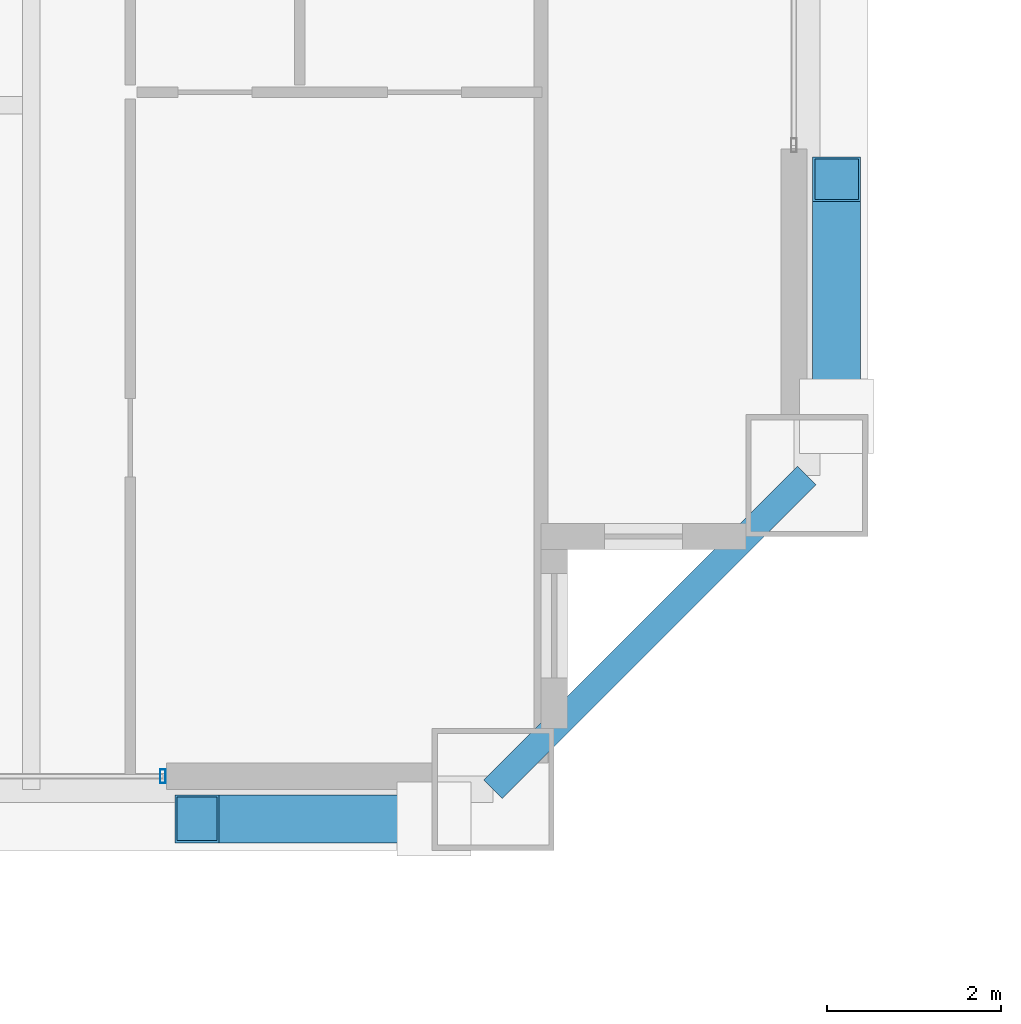
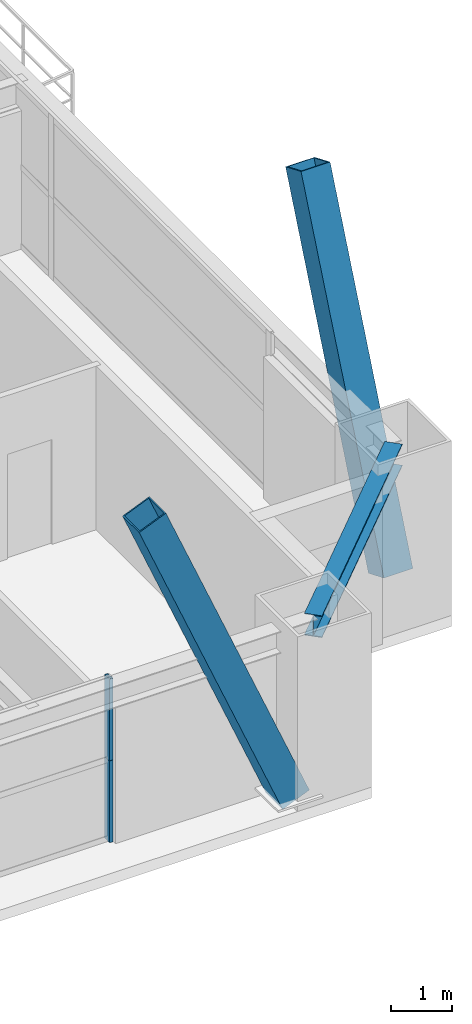
# One storey, part 20 of 45: 4 members, 1 beam, 1 element without a shape of its own.
"""IFC4 building model written with IfcOpenShell, lengths in metres."""

from ifc_helpers import new_model, si_unit, direction, frame, origin, origin_2d, place, context, subcontext, project, spatial, hollow_rectangle, i_section, extrude, source, transform, mapped, material, layer, layer_set, material_profile, profile_set, type_object, element, aggregate, save


model = new_model("IFC4")

# Units and contexts
model_context = context("Model", 3, precision=1e-05, world=origin(), true_north=direction((0.0, 1.0)))
body_context = subcontext(model_context, "Body", "Model", "MODEL_VIEW")
ifc_project = project(units=[si_unit("LENGTHUNIT", "METRE"), si_unit("AREAUNIT", "SQUARE_METRE"), si_unit("VOLUMEUNIT", "CUBIC_METRE"), si_unit("PLANEANGLEUNIT", "RADIAN"), si_unit("MASSUNIT", "GRAM", prefix="KILO"), si_unit("THERMODYNAMICTEMPERATUREUNIT", "KELVIN"), si_unit("POWERUNIT", "WATT")], contexts=[model_context])

# Site, building, storey
site_placement = place(None, origin())
site = spatial("IfcSite", under=ifc_project, at=site_placement, CompositionType="ELEMENT")
building_placement = place(site_placement, origin())
building = spatial("IfcBuilding", under=site, at=building_placement, Name="Yuzanri Waterfront Tower", CompositionType="ELEMENT")
storey_placement = place(building_placement, frame((0.0, 0.0, 191.5)))
storey = spatial("IfcBuildingStorey", under=building, at=storey_placement, Name="L50", CompositionType="ELEMENT", Elevation=191.5)

# Beam
ifc_material_1 = material(Name="Steel Q355B", Category="steel")
ifc_material_profile_1 = material_profile(ifc_material_1, i_section(OverallWidth=0.300048828125, OverallDepth=0.43994140625, WebThickness=0.010986328125, FlangeThickness=0.01806640625, at=origin_2d()), Name="HM 440x300x11x18")
ifc_profile_set_1 = profile_set([ifc_material_profile_1], Name="Steel Q355B")
beam_type = type_object("IfcBeamType", Name="Perimeter Spandrel Q355B HM 440x300", PredefinedType="SPANDREL", material=ifc_profile_set_1)
shared_shape_1 = source(origin(), body_context, "Body", "SweptSolid", [
    extrude(i_section(OverallWidth=0.300048828125, OverallDepth=0.43994140625, WebThickness=0.010986328125, FlangeThickness=0.01806640625, at=origin_2d()), origin(), (0.0, 0.0, 1.0), 5.09130859375),
])
beam_placement = place(storey_placement, frame((55.5, 3.699951171875, 3.06005859375), z_axis=(0.707106781187, 0.707106781187, 0.0), x_axis=(-0.707106781187, 0.707106781187, 0.0)))
element("IfcBeam", 1, at=beam_placement, inside=storey, type_object=beam_type, Name="L50 Perimeter Spandrel S3-E1", PredefinedType="SPANDREL", context=body_context, shape_type="MappedRepresentation", body=[
    mapped(shared_shape_1, transform((0.0, 0.0, 0.0), scale=1.0)),
])

# Members
ifc_material_2 = material(Name="Steel Q390GJC", Category="steel")
ifc_material_profile_2 = material_profile(ifc_material_2, hollow_rectangle(XDim=0.550048828125, YDim=0.550048828125, WallThickness=0.02490234375, at=origin_2d()), Name="RHS 550x550x25")
ifc_profile_set_2 = profile_set([ifc_material_profile_2], Name="Steel Q390GJC")
member_type_1 = type_object("IfcMemberType", Name="Mega Brace Mid Q390GJC RHS 550x550x25", PredefinedType="BRACE", material=ifc_profile_set_2)
shared_shape_2 = source(origin(), body_context, "Body", "SweptSolid", [
    extrude(hollow_rectangle(XDim=0.550048828125, YDim=0.550048828125, WallThickness=0.02490234375, at=origin_2d()), origin(), (0.0, 0.0, 1.0), 7.046142578125),
])
for number, where, z_axis, x_axis, name in (
    (2, (54.820068359375, 3.360107421875, 0.179931640625), (-0.386022211732, 0.0, 0.922489486146), (0.0, -1.0, 0.0), "L50-L51 Perimeter Mega-Brace S-R"),
    (3, (59.43994140625, 7.97998046875, 0.179931640625), (0.0, 0.386022211732, 0.922489486146), (-1.0, 0.0, 0.0), "L50-L51 Perimeter Mega-Brace E-L"),
):
    element("IfcMember", number, at=place(storey_placement, frame(where, z_axis=z_axis, x_axis=x_axis)), inside=storey, type_object=member_type_1, Name=name, PredefinedType="BRACE", context=body_context, shape_type="MappedRepresentation", body=[
        mapped(shared_shape_2, transform((0.0, 0.0, 0.0), scale=1.0)),
    ])

# Curtain wall, members
ifc_material_3 = material(Name="Anodized Architectural Bronze", Category="metal")
ifc_layer = layer(ifc_material_3, 0.159912109375)
ifc_layer_set = layer_set([ifc_layer], Name="Anodized Architectural Bronze")
curtain_wall_type = type_object("IfcCurtainWallType", Name="Anodized Bronze Mid-Rise Residential Acoustic Unitized Curtain Wall 7200", PredefinedType="NOTDEFINED", material=ifc_layer_set)
curtain_wall_placement = place(storey_placement, origin())
curtain_wall = element("IfcCurtainWall", 4, at=curtain_wall_placement, inside=storey, type_object=curtain_wall_type, Name="L50 Curtain Wall CW-L50-SR2", PredefinedType="NOTDEFINED")
ifc_material_4 = material(Name="Anodized Architectural Bronze", Category="metal")
ifc_material_profile_3 = material_profile(ifc_material_4, hollow_rectangle(XDim=0.06494140625, YDim=0.159912109375, WallThickness=0.00341796875, at=origin_2d()), Name="CWM 65x160")
ifc_profile_set_3 = profile_set([ifc_material_profile_3], Name="Anodized Architectural Bronze")
member_type_2 = type_object("IfcMemberType", Name="Anodized Bronze Upper-Zone Curtain-Wall Mullion 65x160", PredefinedType="MULLION", material=ifc_profile_set_3)
shared_shape_3 = source(origin(), body_context, "Body", "SweptSolid", [
    extrude(hollow_rectangle(XDim=0.06494140625, YDim=0.159912109375, WallThickness=0.00341796875, at=origin_2d()), origin(), (0.0, 0.0, 1.0), 1.637939453125),
])
member_1_placement = place(storey_placement, frame((51.7099609375, 3.85009765625, 0.0), z_axis=(0.0, 0.0, 1.0), x_axis=(1.0, 0.0, 0.0)))
member_1 = element("IfcMember", 5, at=member_1_placement, type_object=member_type_2, Name="CW-L50-SR2 Lower Mullion 02", PredefinedType="MULLION", context=body_context, shape_type="MappedRepresentation", body=[
    mapped(shared_shape_3, transform((0.0, 0.0, 0.0), scale=1.0)),
])
member_2_placement = place(storey_placement, frame((51.7099609375, 3.85009765625, 1.64208984375), z_axis=(0.0, 0.0, 1.0), x_axis=(1.0, 0.0, 0.0)))
member_2 = element("IfcMember", 6, at=member_2_placement, type_object=member_type_2, Name="CW-L50-SR2 Upper Mullion 02", PredefinedType="MULLION", context=body_context, shape_type="MappedRepresentation", body=[
    mapped(shared_shape_3, transform((0.0, 0.0, 0.0), scale=1.0)),
])
aggregate(curtain_wall, [member_1, member_2])

save(model, "model.ifc")
